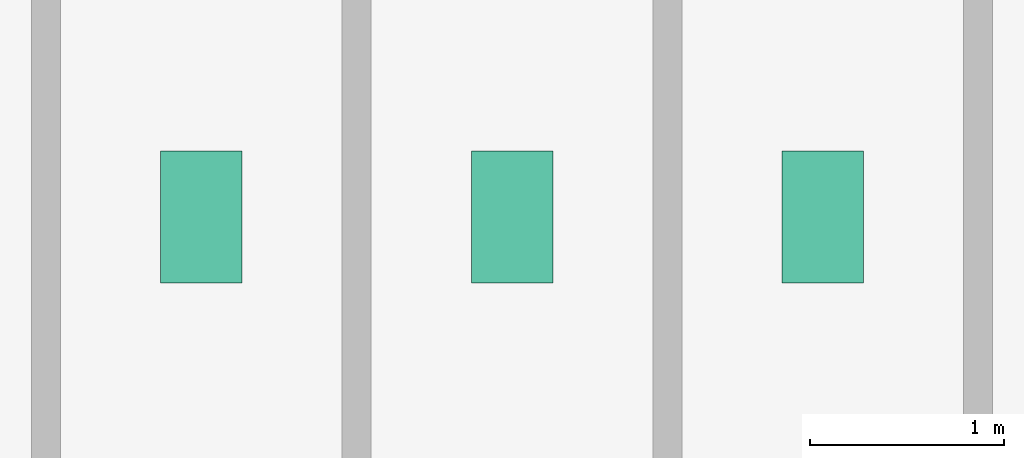
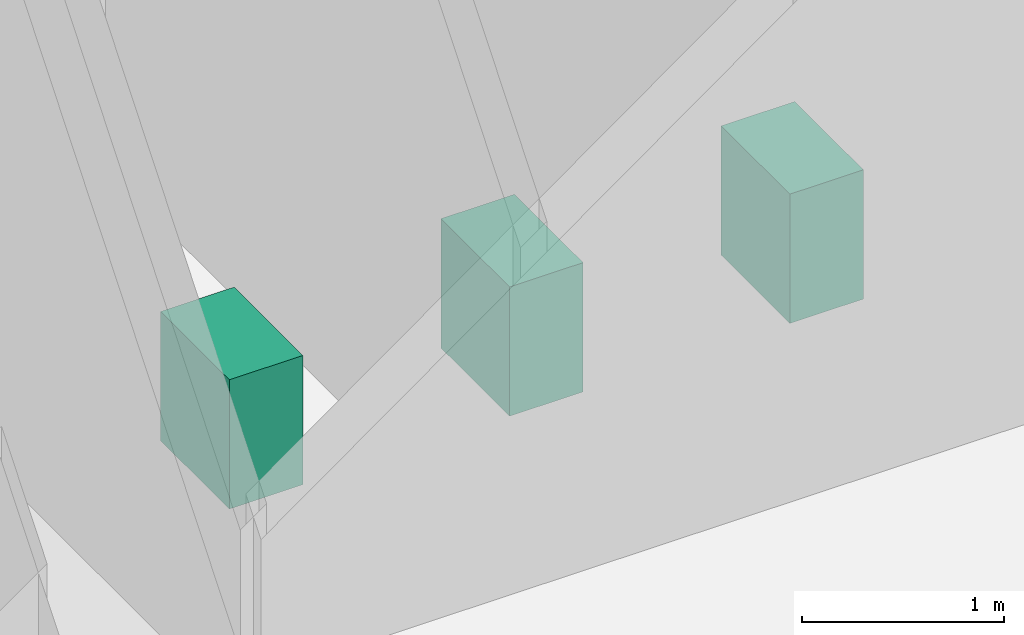
# One storey, part 26 of 26: 3 sanitary terminals.
"""IFC4 building model written with IfcOpenShell, lengths in metres."""

import ifcopenshell
import ifcopenshell.guid

model = None  # the IFC model being written
_history = None  # IfcOwnerHistory: only IFC2X3 demands one
_inside = {}  # id of a spatial element -> (the spatial element, [elements in it])
_under = {}  # id of a project, library or spatial element -> (it, [spatial elements below it])
_declared = {}  # id of a project -> (the project, [libraries it declares])
_typed = {}  # id of a type object -> (the type object, [elements of that type])
_made_of = {}  # id of a material, layer set ... -> (it, [elements and type objects made of it])


def new_model(schema):
    """Start an empty IFC model of exactly this schema.

    Asked for "IFC4X3", IfcOpenShell would pick the latest addendum, in which some entities
    have other attributes; the version numbers below select the first issue.
    IFC2X3 requires an IfcOwnerHistory on every rooted entity: one is made here for all.
    """
    global model, _history
    if schema == "IFC4X3":
        model = ifcopenshell.file(schema_version=(4, 3, 0, 0))
    else:
        model = ifcopenshell.file(schema=schema)
    _inside.clear()
    _under.clear()
    _declared.clear()
    _typed.clear()
    _made_of.clear()
    _history = None
    if model.schema == "IFC2X3":
        org = make("IfcOrganization", Name="unknown")
        user = make(
            "IfcPersonAndOrganization",
            ThePerson=make("IfcPerson", FamilyName="unknown"),
            TheOrganization=org,
        )
        app = make(
            "IfcApplication",
            ApplicationDeveloper=org,
            Version="unknown",
            ApplicationFullName="unknown",
            ApplicationIdentifier="unknown",
        )
        _history = make(
            "IfcOwnerHistory",
            OwningUser=user,
            OwningApplication=app,
            ChangeAction="ADDED",
            CreationDate=0,
        )
    return model


def make(cls, **values):
    """One entity of the class cls with the attributes given. An attribute that is None is left unset."""
    return model.create_entity(
        cls, **{name: value for name, value in values.items() if value is not None}
    )


def rooted(cls, **values):
    """An entity with a GlobalId (a new one), such as an element, a storey or a relation."""
    return make(cls, GlobalId=ifcopenshell.guid.new(), OwnerHistory=_history, **values)


def si_unit(unit_type, name, prefix=None):
    """IfcSIUnit, for example si_unit("LENGTHUNIT", "METRE", prefix="MILLI")."""
    return make("IfcSIUnit", UnitType=unit_type, Prefix=prefix, Name=name)


def derived_unit(unit_type, elements):
    """IfcDerivedUnit: a product of units, each with its exponent."""
    return make(
        "IfcDerivedUnit",
        Elements=[
            make("IfcDerivedUnitElement", Unit=unit, Exponent=power)
            for unit, power in elements
        ],
        UnitType=unit_type,
    )


def assignment(units):
    """IfcUnitAssignment: the units of a project."""
    return None if units is None else make("IfcUnitAssignment", Units=units)


def point(xyz):
    """IfcCartesianPoint."""
    return None if xyz is None else make("IfcCartesianPoint", Coordinates=xyz)


def direction(xyz):
    """IfcDirection."""
    return None if xyz is None else make("IfcDirection", DirectionRatios=xyz)


def frame(location, z_axis=None, x_axis=None):
    """IfcAxis2Placement3D, a coordinate frame: its origin and axes. An axis left out is left unset."""
    return make(
        "IfcAxis2Placement3D",
        Location=point(location),
        Axis=direction(z_axis),
        RefDirection=direction(x_axis),
    )


def frame_2d(location, x_axis=None):
    """IfcAxis2Placement2D, a coordinate frame in the plane: its origin and x axis."""
    return make(
        "IfcAxis2Placement2D", Location=point(location), RefDirection=direction(x_axis)
    )


def origin():
    """The frame at (0, 0, 0) with its axes left unset."""
    return frame((0.0, 0.0, 0.0))


def origin_2d():
    """The frame at (0, 0) in the plane with its x axis left unset."""
    return frame_2d((0.0, 0.0))


def place(relative_to, where):
    """IfcLocalPlacement: puts the frame where relative to a parent placement (None: the world)."""
    return make(
        "IfcLocalPlacement", PlacementRelTo=relative_to, RelativePlacement=where
    )


def context(
    kind, dimensions, precision=None, world=None, true_north=None, identifier=None
):
    """IfcGeometricRepresentationContext, for example the 3D "Model" context."""
    return make(
        "IfcGeometricRepresentationContext",
        ContextIdentifier=identifier,
        ContextType=kind,
        CoordinateSpaceDimension=dimensions,
        Precision=precision,
        WorldCoordinateSystem=world,
        TrueNorth=true_north,
    )


def subcontext(parent, identifier, kind, view, scale=None):
    """IfcGeometricRepresentationSubContext, for example "Body" below "Model"."""
    return make(
        "IfcGeometricRepresentationSubContext",
        ContextIdentifier=identifier,
        ContextType=kind,
        ParentContext=parent,
        TargetScale=scale,
        TargetView=view,
    )


def project(units=None, contexts=None):
    """IfcProject with its units and contexts."""
    return rooted(
        "IfcProject",
        Name="project",
        RepresentationContexts=contexts,
        UnitsInContext=assignment(units),
    )


def spatial(cls, under=None, at=None, **own):
    """A site, building, storey or space (cls), placed at a placement, below another one or the project."""
    s = rooted(cls, ObjectPlacement=at, **own)
    if under is not None:
        _under.setdefault(under.id(), (under, []))[1].append(s)
    return s


def profile(cls, at=None, kind="AREA", **sizes):
    """A parametric profile (cls). Its sizes go by their IFC names, for example OverallWidth=200.0."""
    return make(cls, ProfileType=kind, Position=at, **sizes)


def rectangle(**sizes):
    """IfcRectangleProfileDef."""
    return profile("IfcRectangleProfileDef", **sizes)


def extrude(swept, where, along, depth):
    """IfcExtrudedAreaSolid: the profile swept, set in the frame where, extruded along a direction by depth."""
    return make(
        "IfcExtrudedAreaSolid",
        SweptArea=swept,
        Position=where,
        ExtrudedDirection=direction(along),
        Depth=depth,
    )


def shape(context_of_items, identifier, shape_type, items):
    """IfcShapeRepresentation: the items that make up one representation, for example the "Body"."""
    return make(
        "IfcShapeRepresentation",
        ContextOfItems=context_of_items,
        RepresentationIdentifier=identifier,
        RepresentationType=shape_type,
        Items=items,
    )


def source(mapping_origin, context_of_items, identifier, shape_type, items):
    """IfcRepresentationMap: a shape defined once, which mapped items show again and again."""
    return make(
        "IfcRepresentationMap",
        MappingOrigin=mapping_origin,
        MappedRepresentation=shape(context_of_items, identifier, shape_type, items),
    )


def transform(
    local_origin,
    x_axis=None,
    y_axis=None,
    z_axis=None,
    scale=None,
    scale2=None,
    scale3=None,
    uniform=True,
):
    """IfcCartesianTransformationOperator3D, or its non-uniform kind. x_axis, y_axis, z_axis: its Axis1, 2, 3."""
    if uniform:
        return make(
            "IfcCartesianTransformationOperator3D",
            Axis1=direction(x_axis),
            Axis2=direction(y_axis),
            LocalOrigin=point(local_origin),
            Scale=scale,
            Axis3=direction(z_axis),
        )
    return make(
        "IfcCartesianTransformationOperator3DnonUniform",
        Axis1=direction(x_axis),
        Axis2=direction(y_axis),
        LocalOrigin=point(local_origin),
        Scale=scale,
        Axis3=direction(z_axis),
        Scale2=scale2,
        Scale3=scale3,
    )


def mapped(mapping_source, mapping_target):
    """IfcMappedItem: shows the shape of a source again, moved by a transform."""
    return make(
        "IfcMappedItem", MappingSource=mapping_source, MappingTarget=mapping_target
    )


def material(Name=None, Category=None):
    """IfcMaterial."""
    return make("IfcMaterial", Name=Name, Category=Category)


def made_of(thing, what):
    """Note that an element or type object is made of a material, layer set ...; save() writes the relation."""
    if what is not None:
        _made_of.setdefault(what.id(), (what, []))[1].append(thing)
    return thing


def type_object(cls, material=None, **own):
    """A type object (cls), such as IfcWallType, which elements share."""
    return made_of(rooted(cls, **own), material)


def element(
    cls,
    number,
    at=None,
    inside=None,
    cuts=None,
    type_object=None,
    material=None,
    context=None,
    identifier="Body",
    shape_type=None,
    held_by="IfcProductDefinitionShape",
    body=None,
    shapes=None,
    **own,
):
    """One element of the class cls, such as IfcWall. Its Tag is "e" and its number.

    at: its placement. inside: the storey or other place that contains it. cuts: it is an
    opening in that element (IfcRelVoidsElement). A single representation is given by context,
    identifier, shape_type and body (its items); several are given by shapes. held_by: the class
    of the entity that holds the representations. save() writes the other relations.
    """
    e = rooted(cls, Tag="e%d" % number, ObjectPlacement=at, **own)
    if body is not None:
        shapes = [shape(context, identifier, shape_type, body)]
    if shapes is not None:
        e.Representation = make(held_by, Representations=shapes)
    if inside is not None:
        _inside.setdefault(inside.id(), (inside, []))[1].append(e)
    if cuts is not None:
        rooted(
            "IfcRelVoidsElement", RelatingBuildingElement=cuts, RelatedOpeningElement=e
        )
    if type_object is not None:
        _typed.setdefault(type_object.id(), (type_object, []))[1].append(e)
    return made_of(e, material)


def aggregate(whole, parts):
    """IfcRelAggregates: a whole, such as a stair, and the parts it consists of."""
    return rooted("IfcRelAggregates", RelatingObject=whole, RelatedObjects=parts)


def save(model, path):
    """Write the relations noted so far, then the file.

    IfcRelAggregates (storeys below a building ...), IfcRelContainedInSpatialStructure (elements
    in a storey), IfcRelDefinesByType, IfcRelAssociatesMaterial and IfcRelDeclares: one each for
    every whole, place, type object, material and project.
    """
    for whole, parts in _under.values():
        aggregate(whole, parts)
    for where, things in _inside.values():
        rooted(
            "IfcRelContainedInSpatialStructure",
            RelatedElements=things,
            RelatingStructure=where,
        )
    for kind, things in _typed.values():
        rooted("IfcRelDefinesByType", RelatedObjects=things, RelatingType=kind)
    for what, things in _made_of.values():
        rooted("IfcRelAssociatesMaterial", RelatedObjects=things, RelatingMaterial=what)
    for by, libraries in _declared.values():
        rooted("IfcRelDeclares", RelatingContext=by, RelatedDefinitions=libraries)
    model.write(path)


model = new_model("IFC4")

# Units and contexts
model_context = context("Model", 3, precision=1e-05, world=origin(), true_north=direction((0.0, 1.0)))
body_context = subcontext(model_context, "Body", "Model", "MODEL_VIEW")
ifc_project = project(units=[si_unit("LENGTHUNIT", "METRE"), si_unit("AREAUNIT", "SQUARE_METRE"), si_unit("VOLUMEUNIT", "CUBIC_METRE"), si_unit("PLANEANGLEUNIT", "RADIAN"), si_unit("MASSUNIT", "GRAM", prefix="KILO"), derived_unit("THERMALTRANSMITTANCEUNIT", [(si_unit("POWERUNIT", "WATT"), 1), (si_unit("LENGTHUNIT", "METRE"), -2), (si_unit("THERMODYNAMICTEMPERATUREUNIT", "KELVIN"), -1)])], contexts=[model_context])

# Site, building, storey
site_placement = place(None, origin())
site = spatial("IfcSite", under=ifc_project, at=site_placement, CompositionType="ELEMENT")
building_placement = place(site_placement, origin())
building = spatial("IfcBuilding", under=site, at=building_placement, Name="Skarnbrae Concourse Arena and Tower", CompositionType="ELEMENT")
storey_placement = place(building_placement, frame((0.0, 0.0, 125.14990234375)))
storey = spatial("IfcBuildingStorey", under=building, at=storey_placement, Name="L31", CompositionType="ELEMENT", Elevation=125.14990234375)

# Sanitary terminals
ifc_material = material(Name="Vitreous china sanitaryware", Category="other")
sanitary_terminal_type = type_object("IfcSanitaryTerminalType", Name="SAN-WC-VITREOUS", PredefinedType="TOILETPAN", material=ifc_material)
shared_shape = source(origin(), body_context, "Body", "SweptSolid", [
    extrude(rectangle(XDim=0.419921875, YDim=0.679931640625, at=origin_2d()), origin(), (0.0, 0.0, 1.0), 0.780029296875),
])
for number, where, z_axis, x_axis, name in (
    (1, (35.0, 11.39990234375, 0.0), (0.0, 0.0, 1.0), (1.0, 0.0, 0.0), "L31 Washroom WC fixture 1"),
    (2, (36.60009765625, 11.39990234375, 0.0), (0.0, 0.0, 1.0), (1.0, 0.0, 0.0), "L31 Washroom WC fixture 2"),
    (3, (38.199951171875, 11.39990234375, 0.0), (0.0, 0.0, 1.0), (1.0, 0.0, 0.0), "L31 Washroom WC fixture 3"),
):
    element("IfcSanitaryTerminal", number, at=place(storey_placement, frame(where, z_axis=z_axis, x_axis=x_axis)), inside=storey, type_object=sanitary_terminal_type, Name=name, PredefinedType="TOILETPAN", context=body_context, shape_type="MappedRepresentation", body=[
        mapped(shared_shape, transform((0.0, 0.0, 0.0))),
    ])

save(model, "model.ifc")
